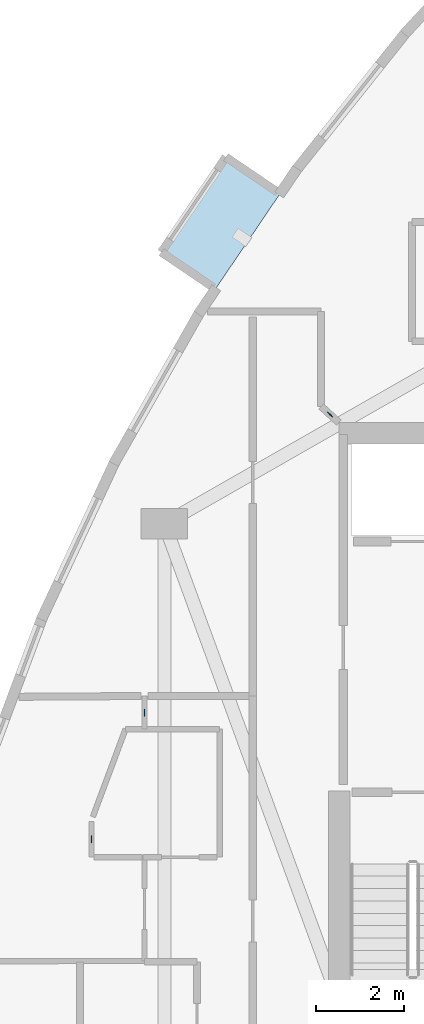
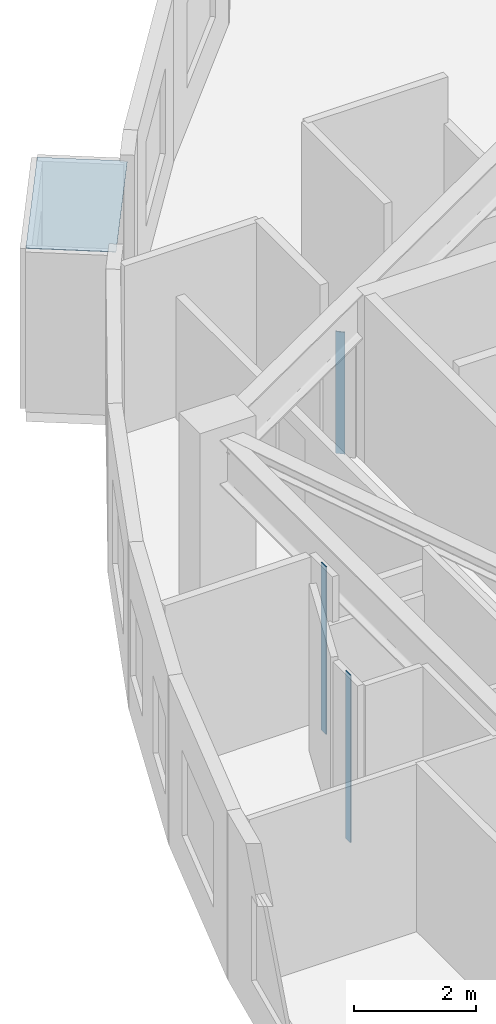
# One storey, part 4 of 13: 4 plates.
"""IFC4 building model written with IfcOpenShell, lengths in metres."""

from ifc_helpers import new_model, si_unit, direction, frame, origin, origin_2d, place, context, subcontext, project, spatial, polyline, rectangle, outline, extrude, material, layer, layer_set, type_object, element, save


model = new_model("IFC4")

# Units and contexts
model_context = context("Model", 3, precision=1e-05, world=origin(), true_north=direction((0.0, 1.0)))
body_context = subcontext(model_context, "Body", "Model", "MODEL_VIEW")
ifc_project = project(units=[si_unit("LENGTHUNIT", "METRE"), si_unit("AREAUNIT", "SQUARE_METRE"), si_unit("VOLUMEUNIT", "CUBIC_METRE"), si_unit("PLANEANGLEUNIT", "RADIAN"), si_unit("MASSUNIT", "GRAM", prefix="KILO")], contexts=[model_context])

# Site, building, storey
site_placement = place(None, origin())
site = spatial("IfcSite", under=ifc_project, at=site_placement, CompositionType="ELEMENT")
building_placement = place(site_placement, origin())
building = spatial("IfcBuilding", under=site, at=building_placement, Name="Miruveldt Soraemaru", CompositionType="ELEMENT")
storey_placement = place(building_placement, frame((0.0, 0.0, 205.199951171875)))
storey = spatial("IfcBuildingStorey", under=building, at=storey_placement, Name="L56", CompositionType="ELEMENT", Elevation=205.199951171875)

# Plates
ifc_material_1 = material(Name="Anodised aluminium EN AW-6063 T6", Category="aluminium")
ifc_layer_1 = layer(ifc_material_1, 0.02001953125, Name="Anodised aluminium EN AW-6063 T6", Category="aluminium")
ifc_layer_set_1 = layer_set([ifc_layer_1], Name="Anodised aluminium EN AW-6063 T6")
plate_type_1 = type_object("IfcPlateType", Name="PLT-PART-TRIM", PredefinedType="SHEET", material=ifc_layer_set_1)
for number, where, z_axis, x_axis, name in (
    (1, (29.75, 43.25439453125, 0.0), (0.0, 0.0, 1.0), (0.0, -1.0, 0.0), "L56 Partition Step Corner Trim Plate 041"),
    (2, (30.949951171875, 46.125, 0.0), (0.0, 0.0, 1.0), (0.0, -1.0, 0.0), "L56 Partition Step Corner Trim Plate 038"),
):
    element("IfcPlate", number, at=place(storey_placement, frame(where, z_axis=z_axis, x_axis=x_axis)), inside=storey, type_object=plate_type_1, Name=name, PredefinedType="SHEET", context=body_context, shape_type="SweptSolid", body=[
        extrude(rectangle(XDim=0.159912109375, YDim=0.02001953125, at=origin_2d()), origin(), (0.0, 0.0, 1.0), 3.344970703125),
    ])
plate_1_placement = place(storey_placement, frame((35.14990234375, 52.87255859375, 0.0), z_axis=(0.0, 0.0, 1.0), x_axis=(0.738690671568, -0.674044576967, 0.0)))
element("IfcPlate", 3, at=plate_1_placement, inside=storey, type_object=plate_type_1, Name="L56 Partition Step Corner Trim Plate 001", PredefinedType="SHEET", context=body_context, shape_type="SweptSolid", body=[
    extrude(rectangle(XDim=0.159912109375, YDim=0.02001953125, at=origin_2d()), origin(), (0.0, 0.0, 1.0), 2.43310546875),
])
ifc_material_2 = material(Name="Standing-seam titanium-zinc sheet", Category="aluminium")
ifc_layer_2 = layer(ifc_material_2, 0.011962890625, Name="Standing-seam titanium-zinc sheet", Category="aluminium")
ifc_layer_set_2 = layer_set([ifc_layer_2], Name="Standing-seam titanium-zinc sheet")
plate_type_2 = type_object("IfcPlateType", Name="PLT-ZINC-12", PredefinedType="SHEET", material=ifc_layer_set_2)
plate_2_placement = place(storey_placement, frame((0.0, 0.0, 3.195068359375)))
element("IfcPlate", 4, at=plate_2_placement, inside=storey, type_object=plate_type_2, Name="L56 Bay Window Zinc Hood Sheet 1", PredefinedType="SHEET", context=body_context, shape_type="SweptSolid", body=[
    extrude(outline(polyline([(34.016845703125, 57.869384765625), (32.55859375, 55.716796875), (31.33349609375, 56.547119140625), (32.79150390625, 58.699462890625), (34.016845703125, 57.869384765625)])), origin(), (0.0, 0.0, 1.0), 0.011962890625),
])

save(model, "model.ifc")
